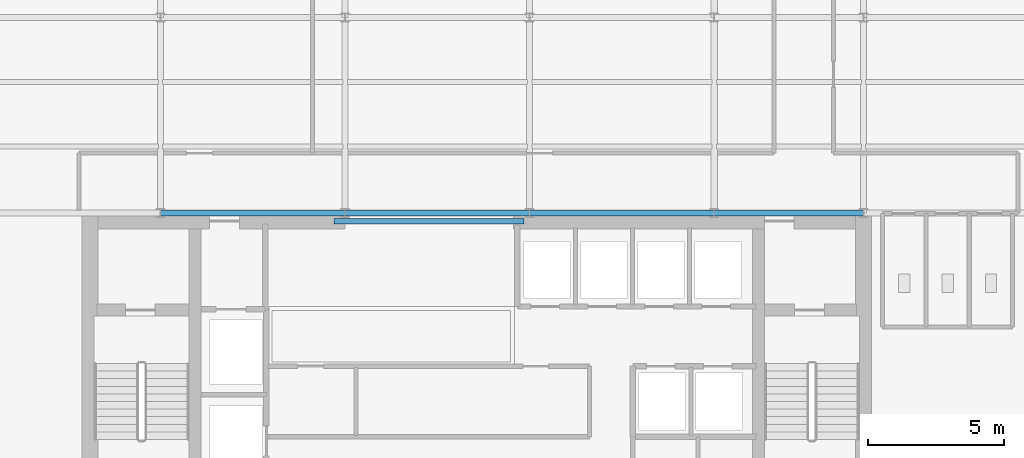
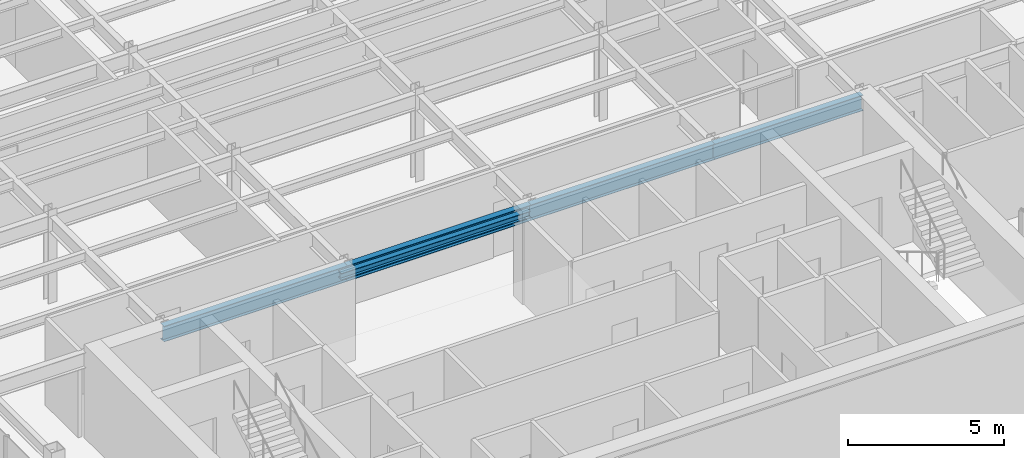
# One storey, part 4 of 22: 5 beams.
"""IFC4 building model written with IfcOpenShell, lengths in metres."""

from ifc_helpers import new_model, si_unit, derived_unit, direction, frame, origin, origin_2d, place, context, subcontext, project, spatial, i_section, extrude, source, transform, mapped, material, material_profile, profile_set, type_object, element, save


model = new_model("IFC4")

# Units and contexts
model_context = context("Model", 3, precision=1e-05, world=origin(), true_north=direction((0.0, 1.0)))
body_context = subcontext(model_context, "Body", "Model", "MODEL_VIEW")
ifc_project = project(units=[si_unit("LENGTHUNIT", "METRE"), si_unit("AREAUNIT", "SQUARE_METRE"), si_unit("VOLUMEUNIT", "CUBIC_METRE"), si_unit("PLANEANGLEUNIT", "RADIAN"), si_unit("MASSUNIT", "GRAM", prefix="KILO"), derived_unit("THERMALTRANSMITTANCEUNIT", [(si_unit("POWERUNIT", "WATT"), 1), (si_unit("LENGTHUNIT", "METRE"), -2), (si_unit("THERMODYNAMICTEMPERATUREUNIT", "KELVIN"), -1)])], contexts=[model_context])

# Site, building, storey
site_placement = place(None, origin())
site = spatial("IfcSite", under=ifc_project, at=site_placement, CompositionType="ELEMENT")
building_placement = place(site_placement, origin())
building = spatial("IfcBuilding", under=site, at=building_placement, Name="Skarnbrae Concourse Arena and Tower", CompositionType="ELEMENT")
storey_placement = place(building_placement, frame((0.0, 0.0, 221.449951171875)))
storey = spatial("IfcBuildingStorey", under=building, at=storey_placement, Name="L57", CompositionType="ELEMENT", Elevation=221.449951171875)

# Beams
ifc_material = material(Name="Steel CSA G40.21 350W", Category="steel")
ifc_material_profile_1 = material_profile(ifc_material, i_section(OverallWidth=0.202880859375, OverallDepth=0.251953125, WebThickness=0.008056640625, FlangeThickness=0.013427734375, at=origin_2d()), Name="W250X58")
ifc_profile_set_1 = profile_set([ifc_material_profile_1], Name="Steel CSA G40.21 350W")
beam_type_1 = type_object("IfcBeamType", Name="BM-LINTEL-W250X58", PredefinedType="LINTEL", material=ifc_profile_set_1)
shared_shape_1 = source(origin(), body_context, "Body", "SweptSolid", [
    extrude(i_section(OverallWidth=0.202880859375, OverallDepth=0.251953125, WebThickness=0.008056640625, FlangeThickness=0.013427734375, at=origin_2d()), origin(), (0.0, 0.0, 1.0), 7.0),
])
beam_1_placement = place(storey_placement, frame((14.0, 13.699951171875, 3.274169921875), z_axis=(1.0, 0.0, 0.0), x_axis=(0.0, 1.0, 0.0)))
element("IfcBeam", 1, at=beam_1_placement, inside=storey, type_object=beam_type_1, Name="L57 Core portal coupling lintel", PredefinedType="LINTEL", context=body_context, shape_type="MappedRepresentation", body=[
    mapped(shared_shape_1, transform((0.0, 0.0, 0.0))),
])
ifc_material_profile_2 = material_profile(ifc_material, i_section(OverallWidth=0.22802734375, OverallDepth=0.60791015625, WebThickness=0.01123046875, FlangeThickness=0.017333984375, at=origin_2d()), Name="W610X113")
ifc_profile_set_2 = profile_set([ifc_material_profile_2], Name="Steel CSA G40.21 350W")
beam_type_2 = type_object("IfcBeamType", Name="BM-GIRD-W610X113", PredefinedType="BEAM", material=ifc_profile_set_2)
shared_shape_2 = source(origin(), body_context, "Body", "SweptSolid", [
    extrude(i_section(OverallWidth=0.22802734375, OverallDepth=0.60791015625, WebThickness=0.01123046875, FlangeThickness=0.017333984375, at=origin_2d()), origin(), (0.0, 0.0, 1.0), 6.7998046875),
])
beam_2_placement = place(storey_placement, frame((7.60009765625, 14.0, 3.095947265625), z_axis=(1.0, 0.0, 0.0), x_axis=(0.0, 1.0, 0.0)))
element("IfcBeam", 2, at=beam_2_placement, inside=storey, type_object=beam_type_2, Name="L57 Primary E-W girder Y14.0-2", PredefinedType="BEAM", context=body_context, shape_type="MappedRepresentation", body=[
    mapped(shared_shape_2, transform((0.0, 0.0, 0.0))),
])
shared_shape_3 = source(origin(), body_context, "Body", "SweptSolid", [
    extrude(i_section(OverallWidth=0.22802734375, OverallDepth=0.60791015625, WebThickness=0.01123046875, FlangeThickness=0.017333984375, at=origin_2d()), origin(), (0.0, 0.0, 1.0), 6.800048828125),
])
for number, where, z_axis, x_axis, name in (
    (3, (14.39990234375, 14.0, 3.095947265625), (1.0, 0.0, 0.0), (0.0, 1.0, 0.0), "L57 Primary E-W girder Y14.0-3"),
    (4, (21.199951171875, 14.0, 3.095947265625), (1.0, 0.0, 0.0), (0.0, 1.0, 0.0), "L57 Primary E-W girder Y14.0-4"),
):
    element("IfcBeam", number, at=place(storey_placement, frame(where, z_axis=z_axis, x_axis=x_axis)), inside=storey, type_object=beam_type_2, Name=name, PredefinedType="BEAM", context=body_context, shape_type="MappedRepresentation", body=[
        mapped(shared_shape_3, transform((0.0, 0.0, 0.0))),
    ])
shared_shape_4 = source(origin(), body_context, "Body", "SweptSolid", [
    extrude(i_section(OverallWidth=0.22802734375, OverallDepth=0.60791015625, WebThickness=0.01123046875, FlangeThickness=0.017333984375, at=origin_2d()), origin(), (0.0, 0.0, 1.0), 5.5),
])
beam_3_placement = place(storey_placement, frame((28.0, 14.0, 3.095947265625), z_axis=(1.0, 0.0, 0.0), x_axis=(0.0, 1.0, 0.0)))
element("IfcBeam", 5, at=beam_3_placement, inside=storey, type_object=beam_type_2, Name="L57 Primary E-W girder Y14.0-5", PredefinedType="BEAM", context=body_context, shape_type="MappedRepresentation", body=[
    mapped(shared_shape_4, transform((0.0, 0.0, 0.0))),
])

save(model, "model.ifc")
